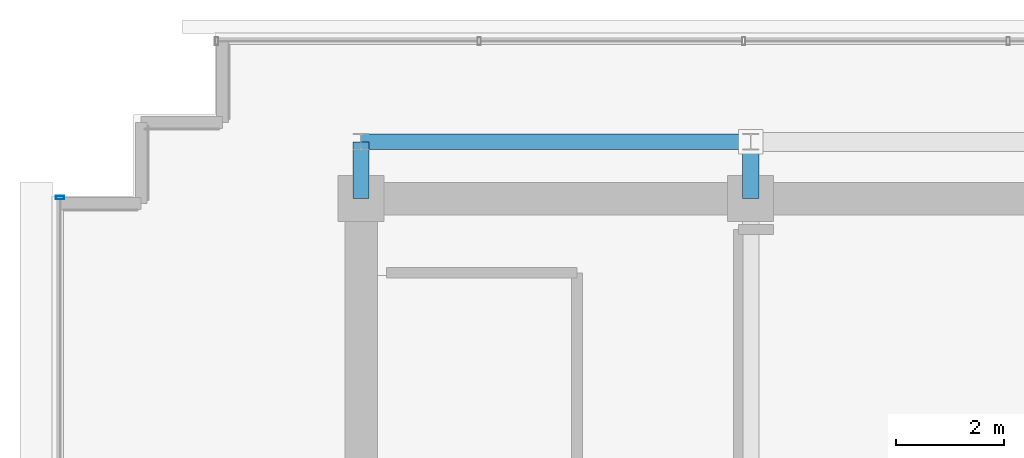
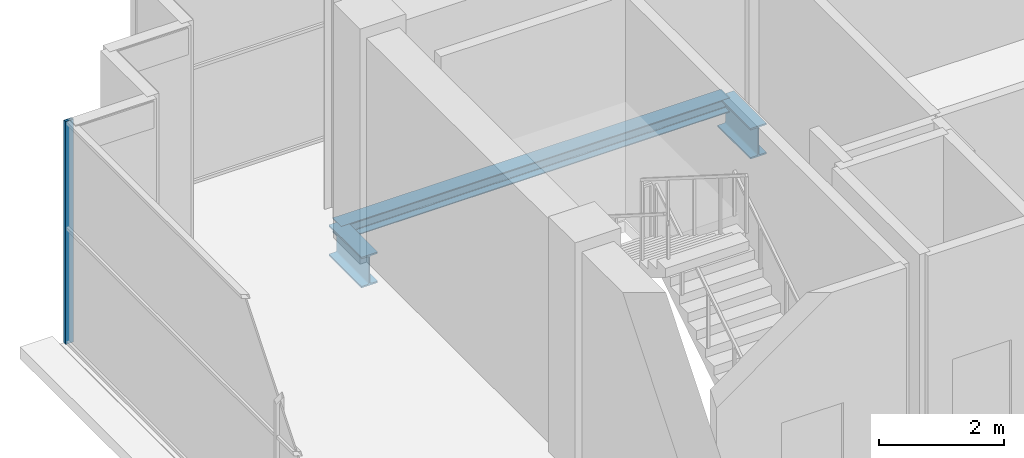
# One storey, part 13 of 28: 3 beams, 1 member, 1 element without a shape of its own.
"""IFC4 building model written with IfcOpenShell, lengths in metres."""

from ifc_helpers import new_model, si_unit, direction, frame, origin, origin_2d, place, context, subcontext, project, spatial, hollow_rectangle, i_section, extrude, source, transform, mapped, material, layer, layer_set, material_profile, profile_set, type_object, element, aggregate, save


model = new_model("IFC4")

# Units and contexts
model_context = context("Model", 3, precision=1e-05, world=origin(), true_north=direction((0.0, 1.0)))
body_context = subcontext(model_context, "Body", "Model", "MODEL_VIEW")
ifc_project = project(units=[si_unit("LENGTHUNIT", "METRE"), si_unit("AREAUNIT", "SQUARE_METRE"), si_unit("VOLUMEUNIT", "CUBIC_METRE"), si_unit("PLANEANGLEUNIT", "RADIAN"), si_unit("MASSUNIT", "GRAM", prefix="KILO")], contexts=[model_context])

# Site, building, storey
site_placement = place(None, origin())
site = spatial("IfcSite", under=ifc_project, at=site_placement, CompositionType="ELEMENT")
building_placement = place(site_placement, origin())
building = spatial("IfcBuilding", under=site, at=building_placement, Name="Zarnakvel Exchange Tower", CompositionType="ELEMENT")
storey_placement = place(building_placement, frame((0.0, 0.0, 276.199951171875)))
storey = spatial("IfcBuildingStorey", under=building, at=storey_placement, Name="Crown L78", CompositionType="ELEMENT", Elevation=276.199951171875)

# Beams
ifc_material_1 = material(Name="Steel S355", Category="steel")
ifc_material_profile_1 = material_profile(ifc_material_1, i_section(OverallWidth=0.300048828125, OverallDepth=0.60009765625, WebThickness=0.015380859375, FlangeThickness=0.030029296875, FilletRadius=0.027099609375, at=origin_2d()))
ifc_profile_set_1 = profile_set([ifc_material_profile_1], Name="Steel S355")
beam_type_1 = type_object("IfcBeamType", Name="G-04", PredefinedType="BEAM", material=ifc_profile_set_1)
for number, where, z_axis, x_axis, name in (
    (1, (-14.39990234375, 13.5, -0.52001953125), (0.0, 1.0, 0.0), (-1.0, 0.0, 0.0), "Crown L78 Tower N-S Frame Beam"),
    (2, (-7.199951171875, 13.5, -0.52001953125), (0.0, 1.0, 0.0), (-1.0, 0.0, 0.0), "Crown L78 Tower N-S Frame Beam"),
):
    element("IfcBeam", number, at=place(storey_placement, frame(where, z_axis=z_axis, x_axis=x_axis)), inside=storey, type_object=beam_type_1, Name=name, PredefinedType="BEAM", context=body_context, shape_type="SweptSolid", body=[
        extrude(i_section(OverallWidth=0.300048828125, OverallDepth=0.60009765625, WebThickness=0.015380859375, FlangeThickness=0.030029296875, FilletRadius=0.027099609375, at=origin_2d()), origin(), (0.0, 0.0, 1.0), 1.050048828125),
    ])
ifc_material_profile_2 = material_profile(ifc_material_1, i_section(OverallWidth=0.280029296875, OverallDepth=0.280029296875, WebThickness=0.010498046875, FlangeThickness=0.01806640625, FilletRadius=0.02392578125, at=origin_2d()))
ifc_profile_set_2 = profile_set([ifc_material_profile_2], Name="Steel S355")
beam_type_2 = type_object("IfcBeamType", Name="SP-04", PredefinedType="SPANDREL", material=ifc_profile_set_2)
beam_placement = place(storey_placement, frame((-14.39990234375, 14.550048828125, -0.35986328125), z_axis=(1.0, 0.0, 0.0), x_axis=(0.0, 1.0, 0.0)))
element("IfcBeam", 3, at=beam_placement, inside=storey, type_object=beam_type_2, Name="Crown L78 Tower E-W Frame Beam", PredefinedType="SPANDREL", context=body_context, shape_type="SweptSolid", body=[
    extrude(i_section(OverallWidth=0.280029296875, OverallDepth=0.280029296875, WebThickness=0.010498046875, FlangeThickness=0.01806640625, FilletRadius=0.02392578125, at=origin_2d()), origin(), (0.0, 0.0, 1.0), 7.199951171875),
])

# Curtain wall, member
ifc_material_2 = material(Name="Architectural Bronze Anodised Aluminium", Category="aluminium")
ifc_layer = layer(ifc_material_2, 0.14990234375)
ifc_layer_set = layer_set([ifc_layer], Name="Architectural Bronze Anodised Aluminium")
curtain_wall_type = type_object("IfcCurtainWallType", Name="CW-07", PredefinedType="NOTDEFINED", material=ifc_layer_set)
curtain_wall_placement = place(storey_placement, origin())
curtain_wall = element("IfcCurtainWall", 4, at=curtain_wall_placement, inside=storey, type_object=curtain_wall_type, Name="Crown L78 Curtain Wall CW-Crown L78-W (CW-07)", PredefinedType="NOTDEFINED")
ifc_material_profile_3 = material_profile(ifc_material_2, hollow_rectangle(XDim=0.14990234375, YDim=0.06005859375, WallThickness=0.00390625, at=origin_2d()))
ifc_profile_set_3 = profile_set([ifc_material_profile_3], Name="Architectural Bronze Anodised Aluminium")
member_type = type_object("IfcMemberType", Name="CWM-07", PredefinedType="MULLION", material=ifc_profile_set_3)
shared_shape = source(origin(), body_context, "Body", "SweptSolid", [
    extrude(hollow_rectangle(XDim=0.14990234375, YDim=0.06005859375, WallThickness=0.00390625, at=origin_2d()), origin(), (0.0, 0.0, 1.0), 4.360107421875),
])
member_placement = place(storey_placement, frame((-19.9599609375, 13.52001953125, 0.0), z_axis=(0.0, 0.0, 1.0), x_axis=(-1.0, 0.0, 0.0)))
member = element("IfcMember", 5, at=member_placement, type_object=member_type, Name="CW-07 mullion 5", PredefinedType="MULLION", context=body_context, shape_type="MappedRepresentation", body=[
    mapped(shared_shape, transform((0.0, 0.0, 0.0), x_axis=(1.0, 0.0, 0.0), y_axis=(0.0, 1.0, 0.0), z_axis=(0.0, 0.0, 1.0), scale=1.0)),
])
aggregate(curtain_wall, [member])

save(model, "model.ifc")
